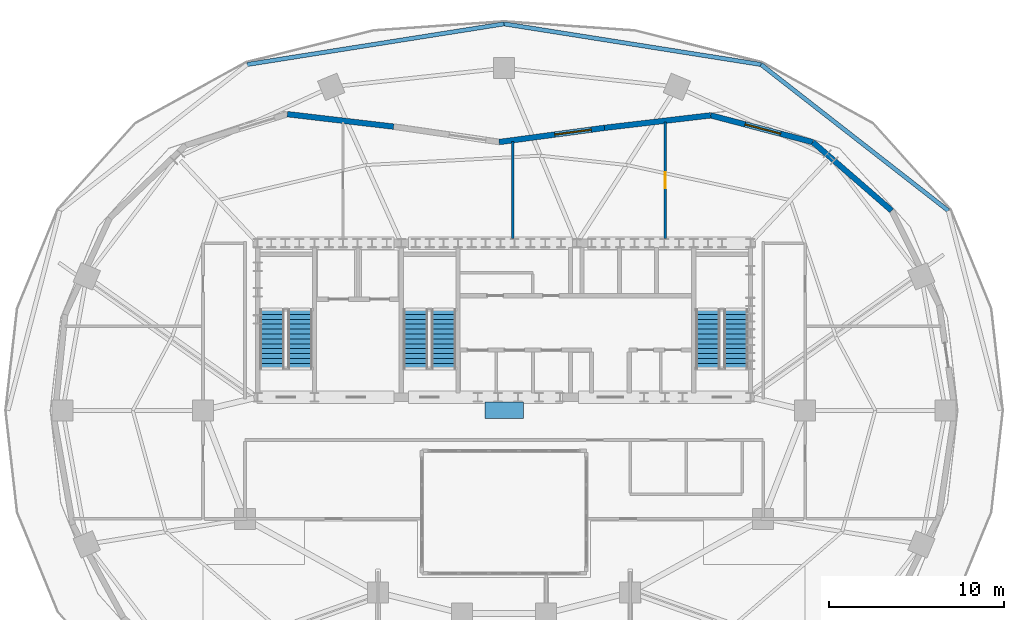
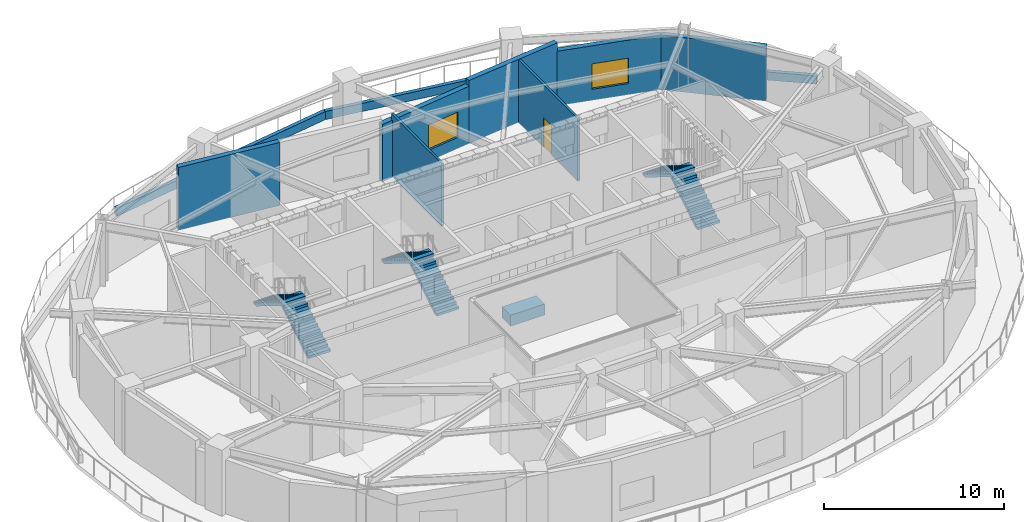
# One storey, part 8 of 11: 10 walls, 6 stair flights, 2 windows, 1 discrete accessory, 1 door, 3 openings, 3 elements without a shape of their own.
"""IFC4 building model written with IfcOpenShell, lengths in metres."""

from ifc_helpers import new_model, si_unit, direction, frame, frame_2d, origin, origin_2d, place, context, subcontext, project, spatial, polyline, rectangle, outline, extrude, material, layer, layer_set, type_object, element, fill, aggregate, save


model = new_model("IFC4")

# Units and contexts
model_context = context("Model", 3, precision=1e-05, world=origin(), true_north=direction((0.0, 1.0)))
body_context = subcontext(model_context, "Body", "Model", "MODEL_VIEW")
ifc_project = project(units=[si_unit("LENGTHUNIT", "METRE"), si_unit("AREAUNIT", "SQUARE_METRE"), si_unit("VOLUMEUNIT", "CUBIC_METRE"), si_unit("PLANEANGLEUNIT", "RADIAN"), si_unit("MASSUNIT", "GRAM", prefix="KILO")], contexts=[model_context])

# Site, building, storey
site_placement = place(None, origin())
site = spatial("IfcSite", under=ifc_project, at=site_placement, CompositionType="ELEMENT")
building_placement = place(site_placement, origin())
building = spatial("IfcBuilding", under=site, at=building_placement, Name="Haldorwick Loom Tower", CompositionType="ELEMENT")
storey_placement = place(building_placement, frame((0.0, 0.0, 131.14990234375)))
storey = spatial("IfcBuildingStorey", under=building, at=storey_placement, Name="L35", CompositionType="ELEMENT", Elevation=131.14990234375)

# Wall
ifc_material_1 = material(Name="Pressed Clay Face Brick and Insulated Masonry Backup Assembly", Category="masonry")
ifc_layer_1 = layer(ifc_material_1, 0.320068359375, Name="Pressed Clay Face Brick and Insulated Masonry Backup Assembly", Category="masonry")
ifc_layer_set_1 = layer_set([ifc_layer_1], Name="Pressed Clay Face Brick and Insulated Masonry Backup Assembly")
wall_type_1 = type_object("IfcWallType", Name="ARC-WL-EXT320", PredefinedType="STANDARD", material=ifc_layer_set_1)
wall_1_placement = place(storey_placement, frame((58.14111328125, 37.409912109375, 0.0), z_axis=(0.0, 0.0, 1.0), x_axis=(-0.754931714798, 0.655803404987, 0.0)))
element("IfcWall", 1, at=wall_1_placement, inside=storey, type_object=wall_type_1, Name="L35 Brick Pier and Spandrel Wall 3", PredefinedType="STANDARD", context=body_context, shape_type="SweptSolid", body=[
    extrude(rectangle(XDim=5.960205078125, YDim=0.320068359375, at=frame_2d((2.97998046875, 0.0))), origin(), (0.0, 0.0, 1.0), 3.691162109375),
])

# Wall, opening, window
wall_2_placement = place(storey_placement, frame((53.6416015625, 41.318603515625, 0.0), z_axis=(0.0, 0.0, 1.0), x_axis=(-0.967210102134, 0.253977594149, 0.0)))
wall_2 = element("IfcWall", 2, at=wall_2_placement, inside=storey, type_object=wall_type_1, Name="L35 Brick Pier and Spandrel Wall 4", PredefinedType="STANDARD", context=body_context, shape_type="SweptSolid", body=[
    extrude(rectangle(XDim=6.035888671875, YDim=0.320068359375, at=frame_2d((3.01806640625, 0.0))), origin(), (0.0, 0.0, 1.0), 3.691162109375),
])
opening_1_placement = place(wall_2_placement, frame((1.907470703125, 0.0, 0.75)))
opening_1 = element("IfcOpeningElement", 3, at=opening_1_placement, cuts=wall_2, Name="Opening W-04", PredefinedType="OPENING", context=body_context, shape_type="SweptSolid", body=[
    extrude(rectangle(XDim=2.10009765625, YDim=1.719970703125, at=frame_2d((1.050048828125, 0.85986328125))), frame((0.0, 0.169921875, 0.0), z_axis=(0.0, -1.0, 0.0), x_axis=(1.0, 0.0, 0.0)), (0.0, 0.0, 1.0), 0.340087890625),
])
ifc_material_2 = material(Name="Triple-Glazed Low-E Argon Insulated Glazing Unit", Category="glass")
window_type = type_object("IfcWindowType", Name="ARC-WIN-W210", PartitioningType="SINGLE_PANEL", PredefinedType="WINDOW", material=ifc_material_2)
window_1_placement = place(opening_1_placement, origin())
window_1 = element("IfcWindow", 4, at=window_1_placement, inside=storey, type_object=window_type, Name="L35 Deep-Set Zone 7A Window 4", OverallHeight=1.719970703125, OverallWidth=2.10009765625, PartitioningType="SINGLE_PANEL", PredefinedType="WINDOW", context=body_context, shape_type="SweptSolid", body=[
    extrude(rectangle(XDim=2.10009765625, YDim=1.719970703125, at=frame_2d((1.050048828125, 0.85986328125))), frame((0.0, 0.030029296875, 0.0), z_axis=(0.0, -1.0, 0.0), x_axis=(1.0, 0.0, 0.0)), (0.0, 0.0, 1.0), 0.06005859375),
])
fill(opening_1, window_1)

# Wall
wall_3_placement = place(storey_placement, frame((47.8037109375, 42.8515625, 0.0), z_axis=(0.0, 0.0, 1.0), x_axis=(-0.993149785689, -0.116848205747, 0.0)))
element("IfcWall", 5, at=wall_3_placement, inside=storey, type_object=wall_type_1, Name="L35 Brick Pier and Spandrel Wall 5", PredefinedType="STANDARD", context=body_context, shape_type="SweptSolid", body=[
    extrude(rectangle(XDim=6.107177734375, YDim=0.320068359375, at=frame_2d((3.0537109375, 0.0))), origin(), (0.0, 0.0, 1.0), 4.260009765625),
])

# Wall, opening, window
wall_4_placement = place(storey_placement, frame((41.73828125, 42.137939453125, 0.0), z_axis=(0.0, 0.0, 1.0), x_axis=(-0.99104164963, -0.13355316806, 0.0)))
wall_4 = element("IfcWall", 6, at=wall_4_placement, inside=storey, type_object=wall_type_1, Name="L35 Brick Pier and Spandrel Wall 6", PredefinedType="STANDARD", context=body_context, shape_type="SweptSolid", body=[
    extrude(rectangle(XDim=6.076416015625, YDim=0.320068359375, at=frame_2d((3.0380859375, 0.0))), origin(), (0.0, 0.0, 1.0), 3.877197265625),
])
opening_2_placement = place(wall_4_placement, frame((0.77294921875, 0.0, 0.75)))
opening_2 = element("IfcOpeningElement", 7, at=opening_2_placement, cuts=wall_4, Name="Opening W-04", PredefinedType="OPENING", context=body_context, shape_type="SweptSolid", body=[
    extrude(rectangle(XDim=2.10009765625, YDim=1.719970703125, at=frame_2d((1.050048828125, 0.85986328125))), frame((0.0, 0.169921875, 0.0), z_axis=(0.0, -1.0, 0.0), x_axis=(1.0, 0.0, 0.0)), (0.0, 0.0, 1.0), 0.340087890625),
])
window_2_placement = place(opening_2_placement, origin())
window_2 = element("IfcWindow", 8, at=window_2_placement, inside=storey, type_object=window_type, Name="L35 Deep-Set Zone 7A Window 6", OverallHeight=1.719970703125, OverallWidth=2.10009765625, PartitioningType="SINGLE_PANEL", PredefinedType="WINDOW", context=body_context, shape_type="SweptSolid", body=[
    extrude(rectangle(XDim=2.10009765625, YDim=1.719970703125, at=frame_2d((1.050048828125, 0.85986328125))), frame((0.0, 0.030029296875, 0.0), z_axis=(0.0, -1.0, 0.0), x_axis=(1.0, 0.0, 0.0)), (0.0, 0.0, 1.0), 0.06005859375),
])
fill(opening_2, window_2)

# Walls
wall_5_placement = place(storey_placement, frame((29.6904296875, 42.206787109375, 0.0), z_axis=(0.0, 0.0, 1.0), x_axis=(-0.99318710842, 0.116530543924, 0.0)))
element("IfcWall", 9, at=wall_5_placement, inside=storey, type_object=wall_type_1, Name="L35 Brick Pier and Spandrel Wall 8", PredefinedType="STANDARD", context=body_context, shape_type="SweptSolid", body=[
    extrude(rectangle(XDim=6.109130859375, YDim=0.320068359375, at=frame_2d((3.0546875, 0.0))), origin(), (0.0, 0.0, 1.0), 4.260009765625),
])
ifc_layer_2 = layer(ifc_material_1, 0.239990234375, Name="Pressed Clay Face Brick and Insulated Masonry Backup Assembly", Category="masonry")
ifc_layer_set_2 = layer_set([ifc_layer_2], Name="Pressed Clay Face Brick and Insulated Masonry Backup Assembly")
wall_type_2 = type_object("IfcWallType", Name="ARC-WL-PARAPET240", PredefinedType="PARAPET", material=ifc_layer_set_2)
wall_6_placement = place(storey_placement, frame((21.32080078125, 45.756103515625, 0.0), z_axis=(0.0, 0.0, 1.0), x_axis=(0.987721373065, 0.156225763527, 0.0)))
element("IfcWall", 10, at=wall_6_placement, inside=storey, type_object=wall_type_2, Name="L35 Terrace Masonry Parapet 3", PredefinedType="PARAPET", context=body_context, shape_type="SweptSolid", body=[
    extrude(rectangle(XDim=14.861572265625, YDim=0.239990234375, at=frame_2d((7.4306640625, 0.0))), origin(), (0.0, 0.0, 1.0), 0.550048828125),
])
wall_7_placement = place(storey_placement, frame((36.0, 48.077880859375, 0.0), z_axis=(0.0, 0.0, 1.0), x_axis=(0.987720041022, -0.156234185005, 0.0)))
element("IfcWall", 11, at=wall_7_placement, inside=storey, type_object=wall_type_2, Name="L35 Terrace Masonry Parapet 4", PredefinedType="PARAPET", context=body_context, shape_type="SweptSolid", body=[
    extrude(rectangle(XDim=14.862548828125, YDim=0.239990234375, at=frame_2d((7.43115234375, 0.0))), origin(), (0.0, 0.0, 1.0), 0.550048828125),
])
wall_8_placement = place(storey_placement, frame((50.679931640625, 45.755859375, 0.0), z_axis=(0.0, 0.0, 1.0), x_axis=(0.788307695452, -0.615281218055, 0.0)))
element("IfcWall", 12, at=wall_8_placement, inside=storey, type_object=wall_type_2, Name="L35 Terrace Masonry Parapet 5", PredefinedType="PARAPET", context=body_context, shape_type="SweptSolid", body=[
    extrude(rectangle(XDim=13.569580078125, YDim=0.239990234375, at=frame_2d((6.78466796875, 0.0))), origin(), (0.0, 0.0, 1.0), 0.550048828125),
])
ifc_material_3 = material(Name="Fire-Rated Type X Gypsum Stud Assembly EI 60")
ifc_layer_3 = layer(ifc_material_3, 0.139892578125, Name="Fire-Rated Type X Gypsum Stud Assembly EI 60")
ifc_layer_set_3 = layer_set([ifc_layer_3], Name="Fire-Rated Type X Gypsum Stud Assembly EI 60")
wall_type_3 = type_object("IfcWallType", Name="ARC-WL-PART140", PredefinedType="PARTITIONING", material=ifc_layer_set_3)
wall_9_placement = place(storey_placement, frame((36.5, 35.802978515625, 0.0), z_axis=(0.0, 0.0, 1.0), x_axis=(0.0, 1.0, 0.0)))
element("IfcWall", 13, at=wall_9_placement, inside=storey, type_object=wall_type_3, Name="L35 Interior Partition L35-N-1", PredefinedType="PARTITIONING", context=body_context, shape_type="SweptSolid", body=[
    extrude(rectangle(XDim=5.5634765625, YDim=0.139892578125, at=frame_2d((2.78173828125, 0.0))), origin(), (0.0, 0.0, 1.0), 4.2451171875),
])

# Wall, opening, door
wall_10_placement = place(storey_placement, frame((45.199951171875, 35.802978515625, 0.0), z_axis=(0.0, 0.0, 1.0), x_axis=(0.0, 1.0, 0.0)))
wall_10 = element("IfcWall", 14, at=wall_10_placement, inside=storey, type_object=wall_type_3, Name="L35 Interior Partition L35-N-2", PredefinedType="PARTITIONING", context=body_context, shape_type="SweptSolid", body=[
    extrude(rectangle(XDim=6.6767578125, YDim=0.139892578125, at=frame_2d((3.33837890625, 0.0))), origin(), (0.0, 0.0, 1.0), 4.2451171875),
])
opening_3_placement = place(wall_10_placement, frame((2.8984375, 0.0, 0.0)))
opening_3 = element("IfcOpeningElement", 15, at=opening_3_placement, cuts=wall_10, Name="Opening D-FD60A", PredefinedType="OPENING", context=body_context, shape_type="SweptSolid", body=[
    extrude(rectangle(XDim=0.89990234375, YDim=2.0, at=frame_2d((0.449951171875, 1.0))), frame((0.0, 0.079833984375, 0.0), z_axis=(0.0, -1.0, 0.0), x_axis=(1.0, 0.0, 0.0)), (0.0, 0.0, 1.0), 0.159912109375),
])
ifc_material_4 = material(Name="Hollow Steel Fire Door Assembly", Category="steel")
door_type = type_object("IfcDoorType", Name="ARC-DR-FD60-90", OperationType="NOTDEFINED", PredefinedType="DOOR", material=ifc_material_4)
door_placement = place(opening_3_placement, frame((0.89990234375, 0.0, 0.0), z_axis=(0.0, 0.0, 1.0), x_axis=(-1.0, 0.0, 0.0)))
door = element("IfcDoor", 16, at=door_placement, inside=storey, type_object=door_type, Name="L35 Preventive Health Classroom 12 to Resident Tea Pantry 9 Door", OperationType="SINGLE_SWING_RIGHT", OverallHeight=2.0, OverallWidth=0.89990234375, PredefinedType="DOOR", context=body_context, shape_type="SweptSolid", body=[
    extrude(rectangle(XDim=0.89990234375, YDim=2.0, at=frame_2d((0.449951171875, 1.0))), frame((0.0, 0.02490234375, 0.0), z_axis=(0.0, -1.0, 0.0), x_axis=(1.0, 0.0, 0.0)), (0.0, 0.0, 1.0), 0.050048828125),
])
fill(opening_3, door)

# Stair, stair flights
ifc_material_5 = material(Name="Concrete C40 (40 MPa)", Category="concrete")
stair_type = type_object("IfcStairType", Name="STR-STR-CORE", PredefinedType="HALF_TURN_STAIR", material=ifc_material_5)
stair_1_placement = place(storey_placement, origin())
stair_1 = element("IfcStair", 17, at=stair_1_placement, inside=storey, type_object=stair_type, Name="L35 Exit Stair ST-01", PredefinedType="HALF_TURN_STAIR")
stair_flight_type = type_object("IfcStairFlightType", Name="STR-STF-1250", PredefinedType="STRAIGHT", material=ifc_material_5)
stair_flight_1_placement = place(storey_placement, frame((24.35009765625, 28.39990234375, 0.0), z_axis=(0.0, 0.0, 1.0), x_axis=(0.0, 1.0, 0.0)))
stair_flight_1 = element("IfcStairFlight", 18, at=stair_flight_1_placement, type_object=stair_flight_type, Name="ST-01 flight 1", NumberOfRisers=13, NumberOfTreads=12, PredefinedType="STRAIGHT", RiserHeight=0.173076923, TreadLength=0.28, context=body_context, shape_type="SweptSolid", body=[
    extrude(outline(polyline([(0.0, 0.0), (0.0, 0.173095703125), (0.280029296875, 0.173095703125), (0.280029296875, 0.34619140625), (0.56005859375, 0.34619140625), (0.56005859375, 0.519287109375), (0.840087890625, 0.519287109375), (0.840087890625, 0.6923828125), (1.1201171875, 0.6923828125), (1.1201171875, 0.865478515625), (1.39990234375, 0.865478515625), (1.39990234375, 1.03857421875), (1.679931640625, 1.03857421875), (1.679931640625, 1.21142578125), (1.9599609375, 1.21142578125), (1.9599609375, 1.384521484375), (2.239990234375, 1.384521484375), (2.239990234375, 1.5576171875), (2.52001953125, 1.5576171875), (2.52001953125, 1.730712890625), (2.800048828125, 1.730712890625), (2.800048828125, 1.90380859375), (3.080078125, 1.90380859375), (3.080078125, 2.076904296875), (3.360107421875, 2.076904296875), (3.360107421875, 2.25), (3.360107421875, 1.900634765625), (0.28515625, 0.0), (0.0, 0.0)])), frame((0.0, 0.699951171875, 0.0), z_axis=(0.0, -1.0, 0.0), x_axis=(1.0, 0.0, 0.0)), (0.0, 0.0, 1.0), 1.39990234375),
])
stair_flight_2_placement = place(storey_placement, frame((22.75, 31.760009765625, 2.25), z_axis=(0.0, 0.0, 1.0), x_axis=(0.0, -1.0, 0.0)))
stair_flight_2 = element("IfcStairFlight", 19, at=stair_flight_2_placement, type_object=stair_flight_type, Name="ST-01 flight 2", NumberOfRisers=13, NumberOfTreads=12, PredefinedType="STRAIGHT", RiserHeight=0.173076923, TreadLength=0.28, context=body_context, shape_type="SweptSolid", body=[
    extrude(outline(polyline([(0.0, 0.0), (0.0, 0.173095703125), (0.280029296875, 0.173095703125), (0.280029296875, 0.34619140625), (0.56005859375, 0.34619140625), (0.56005859375, 0.519287109375), (0.840087890625, 0.519287109375), (0.840087890625, 0.6923828125), (1.1201171875, 0.6923828125), (1.1201171875, 0.865478515625), (1.39990234375, 0.865478515625), (1.39990234375, 1.03857421875), (1.679931640625, 1.03857421875), (1.679931640625, 1.21142578125), (1.9599609375, 1.21142578125), (1.9599609375, 1.384521484375), (2.239990234375, 1.384521484375), (2.239990234375, 1.5576171875), (2.52001953125, 1.5576171875), (2.52001953125, 1.730712890625), (2.800048828125, 1.730712890625), (2.800048828125, 1.90380859375), (3.080078125, 1.90380859375), (3.080078125, 2.076904296875), (3.360107421875, 2.076904296875), (3.360107421875, 2.25), (3.360107421875, 1.900634765625), (0.28515625, 0.0), (0.0, 0.0)])), frame((0.0, 0.699951171875, 0.0), z_axis=(0.0, -1.0, 0.0), x_axis=(1.0, 0.0, 0.0)), (0.0, 0.0, 1.0), 1.39990234375),
])
aggregate(stair_1, [stair_flight_1, stair_flight_2])

stair_2_placement = place(storey_placement, origin())
stair_2 = element("IfcStair", 20, at=stair_2_placement, inside=storey, type_object=stair_type, Name="L35 Exit Stair ST-02", PredefinedType="HALF_TURN_STAIR")
stair_flight_3_placement = place(storey_placement, frame((49.25, 28.39990234375, 0.0), z_axis=(0.0, 0.0, 1.0), x_axis=(0.0, 1.0, 0.0)))
stair_flight_3 = element("IfcStairFlight", 21, at=stair_flight_3_placement, type_object=stair_flight_type, Name="ST-02 flight 1", NumberOfRisers=13, NumberOfTreads=12, PredefinedType="STRAIGHT", RiserHeight=0.173076923, TreadLength=0.28, context=body_context, shape_type="SweptSolid", body=[
    extrude(outline(polyline([(0.0, 0.0), (0.0, 0.173095703125), (0.280029296875, 0.173095703125), (0.280029296875, 0.34619140625), (0.56005859375, 0.34619140625), (0.56005859375, 0.519287109375), (0.840087890625, 0.519287109375), (0.840087890625, 0.6923828125), (1.1201171875, 0.6923828125), (1.1201171875, 0.865478515625), (1.39990234375, 0.865478515625), (1.39990234375, 1.03857421875), (1.679931640625, 1.03857421875), (1.679931640625, 1.21142578125), (1.9599609375, 1.21142578125), (1.9599609375, 1.384521484375), (2.239990234375, 1.384521484375), (2.239990234375, 1.5576171875), (2.52001953125, 1.5576171875), (2.52001953125, 1.730712890625), (2.800048828125, 1.730712890625), (2.800048828125, 1.90380859375), (3.080078125, 1.90380859375), (3.080078125, 2.076904296875), (3.360107421875, 2.076904296875), (3.360107421875, 2.25), (3.360107421875, 1.900634765625), (0.28515625, 0.0), (0.0, 0.0)])), frame((0.0, 0.699951171875, 0.0), z_axis=(0.0, -1.0, 0.0), x_axis=(1.0, 0.0, 0.0)), (0.0, 0.0, 1.0), 1.39990234375),
])
stair_flight_4_placement = place(storey_placement, frame((47.64990234375, 31.760009765625, 2.25), z_axis=(0.0, 0.0, 1.0), x_axis=(0.0, -1.0, 0.0)))
stair_flight_4 = element("IfcStairFlight", 22, at=stair_flight_4_placement, type_object=stair_flight_type, Name="ST-02 flight 2", NumberOfRisers=13, NumberOfTreads=12, PredefinedType="STRAIGHT", RiserHeight=0.173076923, TreadLength=0.28, context=body_context, shape_type="SweptSolid", body=[
    extrude(outline(polyline([(0.0, 0.0), (0.0, 0.173095703125), (0.280029296875, 0.173095703125), (0.280029296875, 0.34619140625), (0.56005859375, 0.34619140625), (0.56005859375, 0.519287109375), (0.840087890625, 0.519287109375), (0.840087890625, 0.6923828125), (1.1201171875, 0.6923828125), (1.1201171875, 0.865478515625), (1.39990234375, 0.865478515625), (1.39990234375, 1.03857421875), (1.679931640625, 1.03857421875), (1.679931640625, 1.21142578125), (1.9599609375, 1.21142578125), (1.9599609375, 1.384521484375), (2.239990234375, 1.384521484375), (2.239990234375, 1.5576171875), (2.52001953125, 1.5576171875), (2.52001953125, 1.730712890625), (2.800048828125, 1.730712890625), (2.800048828125, 1.90380859375), (3.080078125, 1.90380859375), (3.080078125, 2.076904296875), (3.360107421875, 2.076904296875), (3.360107421875, 2.25), (3.360107421875, 1.900634765625), (0.28515625, 0.0), (0.0, 0.0)])), frame((0.0, 0.699951171875, 0.0), z_axis=(0.0, -1.0, 0.0), x_axis=(1.0, 0.0, 0.0)), (0.0, 0.0, 1.0), 1.39990234375),
])
aggregate(stair_2, [stair_flight_3, stair_flight_4])

stair_3_placement = place(storey_placement, origin())
stair_3 = element("IfcStair", 23, at=stair_3_placement, inside=storey, type_object=stair_type, Name="L35 Exit Stair ST-03", PredefinedType="HALF_TURN_STAIR")
stair_flight_5_placement = place(storey_placement, frame((32.550048828125, 28.39990234375, 0.0), z_axis=(0.0, 0.0, 1.0), x_axis=(0.0, 1.0, 0.0)))
stair_flight_5 = element("IfcStairFlight", 24, at=stair_flight_5_placement, type_object=stair_flight_type, Name="ST-03 flight 1", NumberOfRisers=13, NumberOfTreads=12, PredefinedType="STRAIGHT", RiserHeight=0.173076923, TreadLength=0.28, context=body_context, shape_type="SweptSolid", body=[
    extrude(outline(polyline([(0.0, 0.0), (0.0, 0.173095703125), (0.280029296875, 0.173095703125), (0.280029296875, 0.34619140625), (0.56005859375, 0.34619140625), (0.56005859375, 0.519287109375), (0.840087890625, 0.519287109375), (0.840087890625, 0.6923828125), (1.1201171875, 0.6923828125), (1.1201171875, 0.865478515625), (1.39990234375, 0.865478515625), (1.39990234375, 1.03857421875), (1.679931640625, 1.03857421875), (1.679931640625, 1.21142578125), (1.9599609375, 1.21142578125), (1.9599609375, 1.384521484375), (2.239990234375, 1.384521484375), (2.239990234375, 1.5576171875), (2.52001953125, 1.5576171875), (2.52001953125, 1.730712890625), (2.800048828125, 1.730712890625), (2.800048828125, 1.90380859375), (3.080078125, 1.90380859375), (3.080078125, 2.076904296875), (3.360107421875, 2.076904296875), (3.360107421875, 2.25), (3.360107421875, 1.900634765625), (0.28515625, 0.0), (0.0, 0.0)])), frame((0.0, 0.699951171875, 0.0), z_axis=(0.0, -1.0, 0.0), x_axis=(1.0, 0.0, 0.0)), (0.0, 0.0, 1.0), 1.39990234375),
])
stair_flight_6_placement = place(storey_placement, frame((30.949951171875, 31.760009765625, 2.25), z_axis=(0.0, 0.0, 1.0), x_axis=(0.0, -1.0, 0.0)))
stair_flight_6 = element("IfcStairFlight", 25, at=stair_flight_6_placement, type_object=stair_flight_type, Name="ST-03 flight 2", NumberOfRisers=13, NumberOfTreads=12, PredefinedType="STRAIGHT", RiserHeight=0.173076923, TreadLength=0.28, context=body_context, shape_type="SweptSolid", body=[
    extrude(outline(polyline([(0.0, 0.0), (0.0, 0.173095703125), (0.280029296875, 0.173095703125), (0.280029296875, 0.34619140625), (0.56005859375, 0.34619140625), (0.56005859375, 0.519287109375), (0.840087890625, 0.519287109375), (0.840087890625, 0.6923828125), (1.1201171875, 0.6923828125), (1.1201171875, 0.865478515625), (1.39990234375, 0.865478515625), (1.39990234375, 1.03857421875), (1.679931640625, 1.03857421875), (1.679931640625, 1.21142578125), (1.9599609375, 1.21142578125), (1.9599609375, 1.384521484375), (2.239990234375, 1.384521484375), (2.239990234375, 1.5576171875), (2.52001953125, 1.5576171875), (2.52001953125, 1.730712890625), (2.800048828125, 1.730712890625), (2.800048828125, 1.90380859375), (3.080078125, 1.90380859375), (3.080078125, 2.076904296875), (3.360107421875, 2.076904296875), (3.360107421875, 2.25), (3.360107421875, 1.900634765625), (0.28515625, 0.0), (0.0, 0.0)])), frame((0.0, 0.699951171875, 0.0), z_axis=(0.0, -1.0, 0.0), x_axis=(1.0, 0.0, 0.0)), (0.0, 0.0, 1.0), 1.39990234375),
])
aggregate(stair_3, [stair_flight_5, stair_flight_6])

# Discrete accessory
ifc_material_6 = material(Name="Architectural Precast Concrete C40 (40 MPa)", Category="concrete")
discrete_accessory_type = type_object("IfcDiscreteAccessoryType", Name="ARC-ACC-PLANTER", PredefinedType="USERDEFINED", material=ifc_material_6)
discrete_accessory_placement = place(storey_placement, frame((36.0, 26.001220703125, 0.0), z_axis=(0.0, 0.0, 1.0), x_axis=(1.0, 0.0, 0.0)))
element("IfcDiscreteAccessory", 26, at=discrete_accessory_placement, inside=storey, type_object=discrete_accessory_type, Name="L35 Setback Terrace Planter", ObjectType="PLANTER", PredefinedType="USERDEFINED", context=body_context, shape_type="SweptSolid", body=[
    extrude(rectangle(XDim=2.199951171875, YDim=0.949951171875, at=origin_2d()), origin(), (0.0, 0.0, 1.0), 0.75),
])

save(model, "model.ifc")
